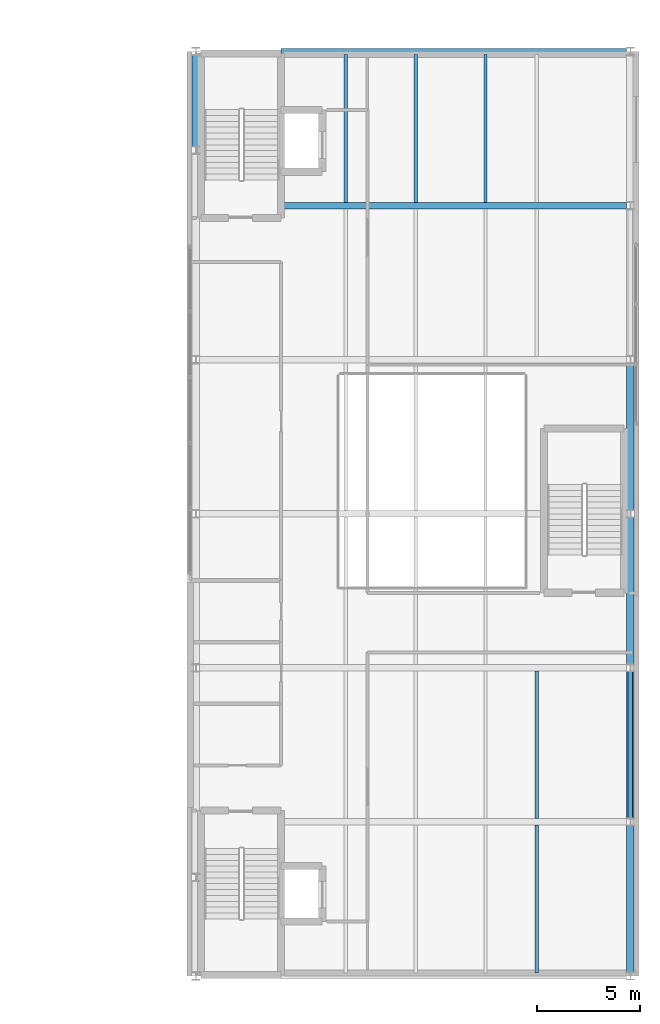
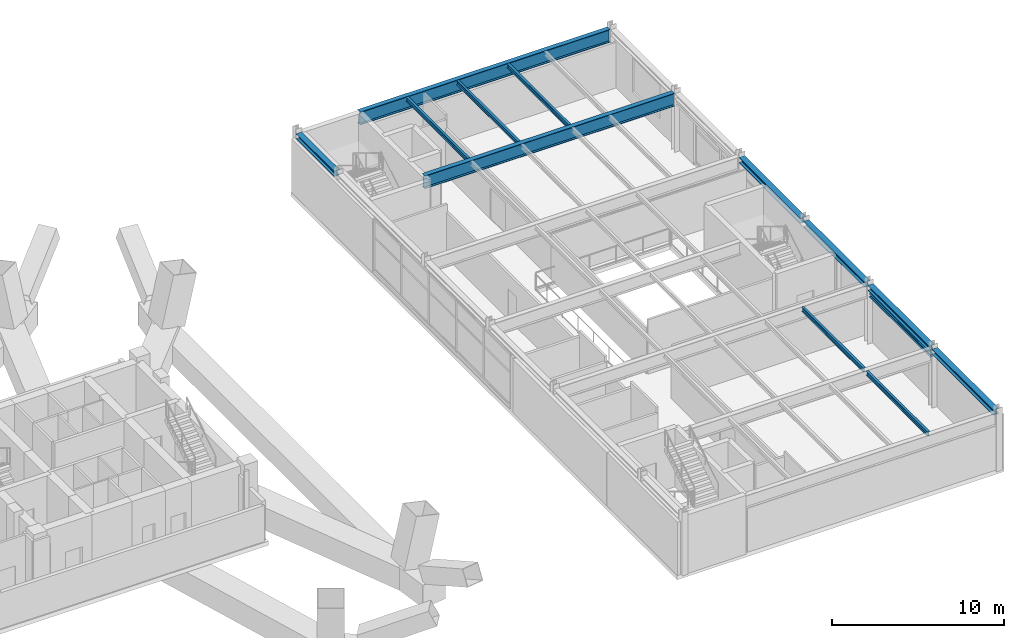
# One storey, part 8 of 16: 13 beams.
"""IFC4 building model written with IfcOpenShell, lengths in metres."""

from ifc_helpers import new_model, si_unit, direction, frame, origin, origin_2d, place, context, subcontext, project, spatial, i_section, extrude, material, material_profile, profile_set, type_object, element, save


model = new_model("IFC4")

# Units and contexts
model_context = context("Model", 3, precision=1e-05, world=origin(), true_north=direction((0.0, 1.0)))
body_context = subcontext(model_context, "Body", "Model", "MODEL_VIEW")
ifc_project = project(units=[si_unit("LENGTHUNIT", "METRE"), si_unit("AREAUNIT", "SQUARE_METRE"), si_unit("VOLUMEUNIT", "CUBIC_METRE"), si_unit("PLANEANGLEUNIT", "RADIAN"), si_unit("MASSUNIT", "GRAM", prefix="KILO")], contexts=[model_context])

# Site, building, storey
site_placement = place(None, origin())
site = spatial("IfcSite", under=ifc_project, at=site_placement, CompositionType="ELEMENT")
building_placement = place(site_placement, origin())
building = spatial("IfcBuilding", under=site, at=building_placement, Name="Mersakhor Tower and Convention Hall", CompositionType="ELEMENT")
storey_placement = place(building_placement, frame((0.0, 0.0, 5.10009765625)))
storey = spatial("IfcBuildingStorey", under=building, at=storey_placement, Name="L01", CompositionType="ELEMENT", Elevation=5.10009765625)

# Beams
ifc_material_1 = material(Name="Steel S355", Category="steel")
ifc_material_profile_1 = material_profile(ifc_material_1, i_section(OverallWidth=0.165771484375, OverallDepth=0.306640625, WebThickness=0.006591796875, FlangeThickness=0.01171875, at=origin_2d()), Name="UB 305x165x46")
ifc_profile_set_1 = profile_set([ifc_material_profile_1], Name="Steel S355")
beam_type_1 = type_object("IfcBeamType", Name="BM-JST-305", PredefinedType="JOIST", material=ifc_profile_set_1)
for number, where, z_axis, x_axis, name in (
    (1, (72.10009765625, 3.40380859375, 4.026611328125), (0.0, 1.0, 0.0), (-1.0, 0.0, 0.0), "Convention L01 Composite Floor Joist CJ-1-72"),
    (2, (72.10009765625, 10.90380859375, 4.026611328125), (0.0, 1.0, 0.0), (-1.0, 0.0, 0.0), "Convention L01 Composite Floor Joist CJ-2-72"),
    (3, (62.800048828125, 40.90380859375, 4.026611328125), (0.0, 1.0, 0.0), (-1.0, 0.0, 0.0), "Convention L01 Composite Floor Joist CJ-6-62"),
    (4, (66.199951171875, 40.90380859375, 4.026611328125), (0.0, 1.0, 0.0), (-1.0, 0.0, 0.0), "Convention L01 Composite Floor Joist CJ-6-66"),
    (5, (69.60009765625, 40.90380859375, 4.026611328125), (0.0, 1.0, 0.0), (-1.0, 0.0, 0.0), "Convention L01 Composite Floor Joist CJ-6-69"),
):
    element("IfcBeam", number, at=place(storey_placement, frame(where, z_axis=z_axis, x_axis=x_axis)), inside=storey, type_object=beam_type_1, Name=name, PredefinedType="JOIST", context=body_context, shape_type="SweptSolid", body=[
        extrude(i_section(OverallWidth=0.165771484375, OverallDepth=0.306640625, WebThickness=0.006591796875, FlangeThickness=0.01171875, at=origin_2d()), origin(), (0.0, 0.0, 1.0), 7.1923828125),
    ])
ifc_material_2 = material(Name="Steel S355", Category="steel")
ifc_material_profile_2 = material_profile(ifc_material_2, i_section(OverallWidth=0.205810546875, OverallDepth=0.209716796875, WebThickness=0.009521484375, FlangeThickness=0.01416015625, at=origin_2d()), Name="UC 203x203x60")
ifc_profile_set_2 = profile_set([ifc_material_profile_2], Name="Steel S355")
beam_type_2 = type_object("IfcBeamType", Name="BM-LNT-UC203", PredefinedType="LINTEL", material=ifc_profile_set_2)
beam_1_placement = place(storey_placement, frame((76.64990234375, 10.929931640625, 3.449951171875), z_axis=(0.0, 1.0, 0.0), x_axis=(-1.0, 0.0, 0.0)))
element("IfcBeam", 6, at=beam_1_placement, inside=storey, type_object=beam_type_2, Name="Convention L01 Opening Lintel Beam LNT-2", PredefinedType="LINTEL", context=body_context, shape_type="SweptSolid", body=[
    extrude(i_section(OverallWidth=0.205810546875, OverallDepth=0.209716796875, WebThickness=0.009521484375, FlangeThickness=0.01416015625, at=origin_2d()), origin(), (0.0, 0.0, 1.0), 7.14013671875),
])
ifc_material_3 = material(Name="Steel S355", Category="steel")
ifc_material_profile_3 = material_profile(ifc_material_3, i_section(OverallWidth=0.3076171875, OverallDepth=0.926513671875, WebThickness=0.01953125, FlangeThickness=0.031982421875, at=origin_2d()), Name="UB 914x305x289")
ifc_profile_set_3 = profile_set([ifc_material_profile_3], Name="Steel S355")
beam_type_3 = type_object("IfcBeamType", Name="BM-PR-914", PredefinedType="BEAM", material=ifc_profile_set_3)
for number, where, z_axis, x_axis, name in (
    (7, (59.64990234375, 40.75, 3.716552734375), (1.0, 0.0, 0.0), (0.0, 1.0, 0.0), "Convention L01 Clear-Span Girder CG-6"),
    (8, (59.64990234375, 48.25, 3.716552734375), (1.0, 0.0, 0.0), (0.0, 1.0, 0.0), "Convention L01 Clear-Span Girder CG-7"),
):
    element("IfcBeam", number, at=place(storey_placement, frame(where, z_axis=z_axis, x_axis=x_axis)), inside=storey, type_object=beam_type_3, Name=name, PredefinedType="BEAM", context=body_context, shape_type="SweptSolid", body=[
        extrude(i_section(OverallWidth=0.3076171875, OverallDepth=0.926513671875, WebThickness=0.01953125, FlangeThickness=0.031982421875, at=origin_2d()), origin(), (0.0, 0.0, 1.0), 16.820068359375),
    ])
ifc_material_4 = material(Name="Steel S355", Category="steel")
ifc_material_profile_4 = material_profile(ifc_material_4, i_section(OverallWidth=0.374755859375, OverallDepth=0.37451171875, WebThickness=0.0166015625, FlangeThickness=0.027099609375, at=origin_2d()), Name="UC 356x368x202")
ifc_profile_set_4 = profile_set([ifc_material_profile_4], Name="Steel S355")
beam_type_4 = type_object("IfcBeamType", Name="BM-SPD-UC356", PredefinedType="SPANDREL", material=ifc_profile_set_4)
beam_2_placement = place(storey_placement, frame((55.5, 43.6298828125, 3.992919921875), z_axis=(0.0, 1.0, 0.0), x_axis=(-1.0, 0.0, 0.0)))
element("IfcBeam", 9, at=beam_2_placement, inside=storey, type_object=beam_type_4, Name="Convention L01 Edge Spandrel W6", PredefinedType="SPANDREL", context=body_context, shape_type="SweptSolid", body=[
    extrude(i_section(OverallWidth=0.374755859375, OverallDepth=0.37451171875, WebThickness=0.0166015625, FlangeThickness=0.027099609375, at=origin_2d()), origin(), (0.0, 0.0, 1.0), 4.440185546875),
])
for number, where, z_axis, x_axis, name in (
    (10, (76.64990234375, 3.429931640625, 3.992919921875), (0.0, 1.0, 0.0), (-1.0, 0.0, 0.0), "Convention L01 Edge Spandrel E1"),
    (11, (76.64990234375, 10.929931640625, 3.992919921875), (0.0, 1.0, 0.0), (-1.0, 0.0, 0.0), "Convention L01 Edge Spandrel E2"),
    (12, (76.64990234375, 18.429931640625, 3.992919921875), (0.0, 1.0, 0.0), (-1.0, 0.0, 0.0), "Convention L01 Edge Spandrel E3"),
    (13, (76.64990234375, 25.929931640625, 3.992919921875), (0.0, 1.0, 0.0), (-1.0, 0.0, 0.0), "Convention L01 Edge Spandrel E4"),
):
    element("IfcBeam", number, at=place(storey_placement, frame(where, z_axis=z_axis, x_axis=x_axis)), inside=storey, type_object=beam_type_4, Name=name, PredefinedType="SPANDREL", context=body_context, shape_type="SweptSolid", body=[
        extrude(i_section(OverallWidth=0.374755859375, OverallDepth=0.37451171875, WebThickness=0.0166015625, FlangeThickness=0.027099609375, at=origin_2d()), origin(), (0.0, 0.0, 1.0), 7.14013671875),
    ])

save(model, "model.ifc")
